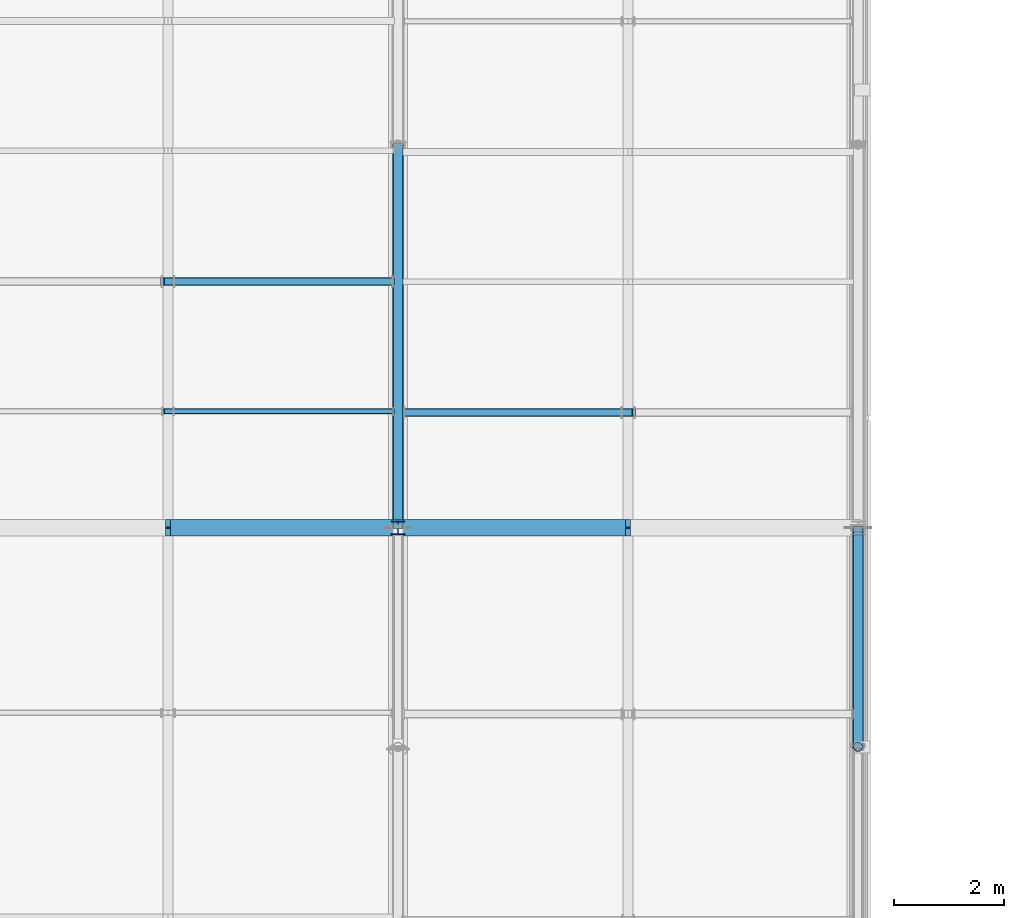
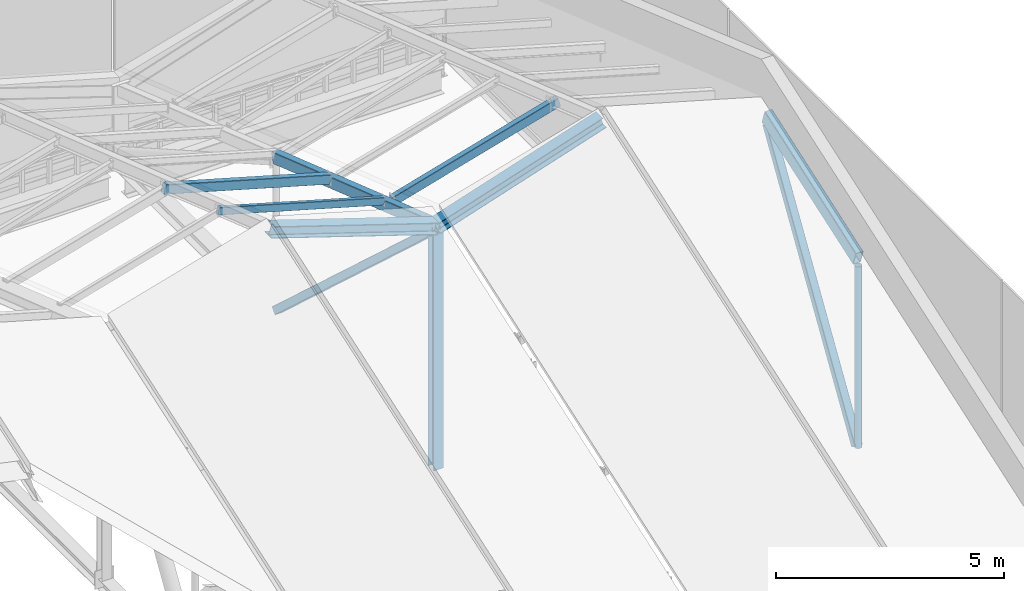
# One storey, part 33 of 77: 11 members.
"""IFC4 building model written with IfcOpenShell, lengths in metres."""

from ifc_helpers import new_model, si_unit, direction, frame, origin, origin_2d, place, context, subcontext, project, spatial, hollow_rectangle, hollow_circle, i_section, extrude, material, material_profile, profile_set, type_object, element, save


model = new_model("IFC4")

# Units and contexts
model_context = context("Model", 3, precision=1e-05, world=origin(), true_north=direction((0.0, 1.0)))
body_context = subcontext(model_context, "Body", "Model", "MODEL_VIEW")
ifc_project = project(units=[si_unit("LENGTHUNIT", "METRE"), si_unit("AREAUNIT", "SQUARE_METRE"), si_unit("VOLUMEUNIT", "CUBIC_METRE"), si_unit("PLANEANGLEUNIT", "RADIAN"), si_unit("MASSUNIT", "GRAM", prefix="KILO")], contexts=[model_context])

# Site, building, storey
site_placement = place(None, origin())
site = spatial("IfcSite", under=ifc_project, at=site_placement, CompositionType="ELEMENT")
building_placement = place(site_placement, origin())
building = spatial("IfcBuilding", under=site, at=building_placement, Name="Larkvane Passage Sports Hall", CompositionType="ELEMENT")
storey_placement = place(building_placement, frame((0.0, 0.0, 22.199951171875)))
storey = spatial("IfcBuildingStorey", under=building, at=storey_placement, Name="RF", CompositionType="ELEMENT", Elevation=22.199951171875)

# Members
ifc_material_1 = material(Name="Steel S355JR", Category="steel")
ifc_material_profile_1 = material_profile(ifc_material_1, hollow_rectangle(XDim=0.199951171875, YDim=0.199951171875, WallThickness=0.009033203125, InnerFilletRadius=0.009033203125, OuterFilletRadius=0.01806640625, at=origin_2d()), Name="SHS-200x200x9")
ifc_profile_set_1 = profile_set([ifc_material_profile_1], Name="Steel S355JR")
member_type_1 = type_object("IfcMemberType", Name="MBR-BR-SHS200", PredefinedType="BRACE", material=ifc_profile_set_1)
member_1_placement = place(storey_placement, frame((85.199951171875, 61.64990234375, 6.5400390625), z_axis=(0.0, 0.737163884076, -0.675713998682), x_axis=(-1.0, 0.0, 0.0)))
element("IfcMember", 1, at=member_1_placement, inside=storey, type_object=member_type_1, Name="Arena roof truss 7 web brace 5", PredefinedType="BRACE", context=body_context, shape_type="SweptSolid", body=[
    extrude(hollow_rectangle(XDim=0.199951171875, YDim=0.199951171875, WallThickness=0.009033203125, InnerFilletRadius=0.009033203125, OuterFilletRadius=0.01806640625, at=origin_2d()), origin(), (0.0, 0.0, 1.0), 9.3603515625),
])
member_2_placement = place(storey_placement, frame((93.60009765625, 57.64990234375, 0.239990234375), z_axis=(0.0, 0.529403043439, 0.848370448329), x_axis=(-1.0, 0.0, 0.0)))
element("IfcMember", 2, at=member_2_placement, inside=storey, type_object=member_type_1, Name="Arena roof truss 8 web brace 4", PredefinedType="BRACE", context=body_context, shape_type="SweptSolid", body=[
    extrude(hollow_rectangle(XDim=0.199951171875, YDim=0.199951171875, WallThickness=0.009033203125, InnerFilletRadius=0.009033203125, OuterFilletRadius=0.01806640625, at=origin_2d()), origin(), (0.0, 0.0, 1.0), 7.366943359375),
])
ifc_material_2 = material(Name="Steel S460N", Category="steel")
ifc_material_profile_2 = material_profile(ifc_material_2, i_section(OverallWidth=0.300048828125, OverallDepth=0.300048828125, WebThickness=0.010009765625, FlangeThickness=0.014892578125, FilletRadius=0.012939453125, at=origin_2d()), Name="H-300x300x10x15")
ifc_profile_set_2 = profile_set([ifc_material_profile_2], Name="Steel S460N")
member_type_2 = type_object("IfcMemberType", Name="MBR-CH-H300", PredefinedType="CHORD", material=ifc_profile_set_2)
for number, where, z_axis, x_axis, name in (
    (3, (81.0, 61.60009765625, 8.050048828125), (0.950691943721, 0.0, -0.310136789407), (0.0, 1.0, 0.0), "Arena roof fold tie 6-RIDGE-E"),
    (4, (85.199951171875, 61.60009765625, 6.679931640625), (0.950691943721, 0.0, 0.310136789407), (0.0, 1.0, 0.0), "Arena roof fold tie 7-RIDGE-W"),
):
    element("IfcMember", number, at=place(storey_placement, frame(where, z_axis=z_axis, x_axis=x_axis)), inside=storey, type_object=member_type_2, Name=name, PredefinedType="CHORD", context=body_context, shape_type="SweptSolid", body=[
        extrude(i_section(OverallWidth=0.300048828125, OverallDepth=0.300048828125, WebThickness=0.010009765625, FlangeThickness=0.014892578125, FilletRadius=0.012939453125, at=origin_2d()), origin(), (0.0, 0.0, 1.0), 4.417724609375),
    ])
ifc_material_profile_3 = material_profile(ifc_material_2, hollow_rectangle(XDim=0.199951171875, YDim=0.300048828125, WallThickness=0.011962890625, InnerFilletRadius=0.011962890625, OuterFilletRadius=0.02392578125, at=origin_2d()), Name="RHS-300x200x12")
ifc_profile_set_3 = profile_set([ifc_material_profile_3], Name="Steel S460N")
member_type_3 = type_object("IfcMemberType", Name="MBR-CH-RHS300", PredefinedType="CHORD", material=ifc_profile_set_3)
member_3_placement = place(storey_placement, frame((85.199951171875, 61.60009765625, 6.679931640625), z_axis=(0.0, 0.945949994576, -0.324312515579), x_axis=(-1.0, 0.0, 0.0)))
element("IfcMember", 5, at=member_3_placement, inside=storey, type_object=member_type_3, Name="Arena roof truss 7 top chord 5", PredefinedType="CHORD", context=body_context, shape_type="SweptSolid", body=[
    extrude(hollow_rectangle(XDim=0.199951171875, YDim=0.300048828125, WallThickness=0.011962890625, InnerFilletRadius=0.011962890625, OuterFilletRadius=0.02392578125, at=origin_2d()), origin(), (0.0, 0.0, 1.0), 7.39990234375),
])
ifc_material_profile_4 = material_profile(ifc_material_2, hollow_rectangle(XDim=0.199951171875, YDim=0.39990234375, WallThickness=0.013916015625, InnerFilletRadius=0.013916015625, OuterFilletRadius=0.028076171875, at=origin_2d()), Name="RHS-400x200x14")
ifc_profile_set_4 = profile_set([ifc_material_profile_4], Name="Steel S460N")
member_type_4 = type_object("IfcMemberType", Name="MBR-CH-RHS400", PredefinedType="CHORD", material=ifc_profile_set_4)
member_4_placement = place(storey_placement, frame((93.60009765625, 57.60009765625, 5.29833984375), z_axis=(0.0, 0.945206714131, 0.326472460649), x_axis=(-1.0, 0.0, 0.0)))
element("IfcMember", 6, at=member_4_placement, inside=storey, type_object=member_type_4, Name="Arena roof truss 8 top chord 4", PredefinedType="CHORD", context=body_context, shape_type="SweptSolid", body=[
    extrude(hollow_rectangle(XDim=0.199951171875, YDim=0.39990234375, WallThickness=0.013916015625, InnerFilletRadius=0.013916015625, OuterFilletRadius=0.028076171875, at=origin_2d()), origin(), (0.0, 0.0, 1.0), 4.23193359375),
])
ifc_material_profile_5 = material_profile(ifc_material_1, hollow_rectangle(XDim=0.10009765625, YDim=0.199951171875, WallThickness=0.008056640625, InnerFilletRadius=0.008056640625, OuterFilletRadius=0.01611328125, at=origin_2d()), Name="RHS-200x100x8")
ifc_profile_set_5 = profile_set([ifc_material_profile_5], Name="Steel S355JR")
member_type_5 = type_object("IfcMemberType", Name="MBR-PR-RHS200", PredefinedType="PURLIN", material=ifc_profile_set_5)
member_5_placement = place(storey_placement, frame((80.90478515625, 63.725830078125, 7.298828125), z_axis=(0.961511291812, 0.0, -0.274765419436), x_axis=(0.0, 1.0, 0.0)))
element("IfcMember", 7, at=member_5_placement, inside=storey, type_object=member_type_5, Name="Folded roof purlin FRP-B6-NE-1", PredefinedType="PURLIN", context=body_context, shape_type="SweptSolid", body=[
    extrude(hollow_rectangle(XDim=0.10009765625, YDim=0.199951171875, WallThickness=0.008056640625, InnerFilletRadius=0.008056640625, OuterFilletRadius=0.01611328125, at=origin_2d()), origin(), (0.0, 0.0, 1.0), 4.3681640625),
])
ifc_material_profile_6 = material_profile(ifc_material_1, hollow_rectangle(XDim=0.14990234375, YDim=0.25, WallThickness=0.009033203125, InnerFilletRadius=0.009033203125, OuterFilletRadius=0.01806640625, at=origin_2d()), Name="RHS-250x150x9")
ifc_profile_set_6 = profile_set([ifc_material_profile_6], Name="Steel S355JR")
member_type_6 = type_object("IfcMemberType", Name="MBR-PR-RHS250", PredefinedType="PURLIN", material=ifc_profile_set_6)
member_6_placement = place(storey_placement, frame((80.898193359375, 66.097900390625, 6.4599609375), z_axis=(0.96152605678, 0.0, -0.274713745804), x_axis=(0.0, 1.0, 0.0)))
element("IfcMember", 8, at=member_6_placement, inside=storey, type_object=member_type_6, Name="Folded roof purlin FRP-B6-NE-2", PredefinedType="PURLIN", context=body_context, shape_type="SweptSolid", body=[
    extrude(hollow_rectangle(XDim=0.14990234375, YDim=0.25, WallThickness=0.009033203125, InnerFilletRadius=0.009033203125, OuterFilletRadius=0.01806640625, at=origin_2d()), origin(), (0.0, 0.0, 1.0), 4.367919921875),
])
member_7_placement = place(storey_placement, frame((85.312255859375, 63.705322265625, 6.039306640625), z_axis=(0.961511291812, 0.0, 0.274765419436), x_axis=(0.0, 1.0, 0.0)))
element("IfcMember", 9, at=member_7_placement, inside=storey, type_object=member_type_6, Name="Folded roof purlin FRP-B7-NW-1", PredefinedType="PURLIN", context=body_context, shape_type="SweptSolid", body=[
    extrude(hollow_rectangle(XDim=0.14990234375, YDim=0.25, WallThickness=0.009033203125, InnerFilletRadius=0.009033203125, OuterFilletRadius=0.01806640625, at=origin_2d()), origin(), (0.0, 0.0, 1.0), 4.3681640625),
])
ifc_material_profile_7 = material_profile(ifc_material_1, hollow_circle(Radius=0.08251953125, WallThickness=0.006103515625, at=origin_2d()), Name="CHS-165.2x6.0")
ifc_profile_set_7 = profile_set([ifc_material_profile_7], Name="Steel S355JR")
member_type_7 = type_object("IfcMemberType", Name="MBR-ST-CHS165", PredefinedType="STRUT", material=ifc_profile_set_7)
member_8_placement = place(storey_placement, frame((93.60009765625, 57.60009765625, 0.239990234375), z_axis=(0.0, 0.0, 1.0), x_axis=(1.0, 0.0, 0.0)))
element("IfcMember", 10, at=member_8_placement, inside=storey, type_object=member_type_7, Name="Arena roof truss 8 vertical strut 3", PredefinedType="STRUT", context=body_context, shape_type="SweptSolid", body=[
    extrude(hollow_circle(Radius=0.08251953125, WallThickness=0.006103515625, at=origin_2d()), origin(), (0.0, 0.0, 1.0), 4.8681640625),
])
ifc_material_profile_8 = material_profile(ifc_material_1, i_section(OverallWidth=0.25, OverallDepth=0.25, WebThickness=0.009033203125, FlangeThickness=0.013916015625, FilletRadius=0.012939453125, at=origin_2d()), Name="H-250x250x9x14")
ifc_profile_set_8 = profile_set([ifc_material_profile_8], Name="Steel S355JR")
member_type_8 = type_object("IfcMemberType", Name="MBR-ST-H250", PredefinedType="STRUT", material=ifc_profile_set_8)
member_9_placement = place(storey_placement, frame((85.199951171875, 61.60009765625, 0.215087890625), z_axis=(0.0, 0.0, 1.0), x_axis=(1.0, 0.0, 0.0)))
element("IfcMember", 11, at=member_9_placement, inside=storey, type_object=member_type_8, Name="Arena roof truss 7 vertical strut 4", PredefinedType="STRUT", context=body_context, shape_type="SweptSolid", body=[
    extrude(i_section(OverallWidth=0.25, OverallDepth=0.25, WebThickness=0.009033203125, FlangeThickness=0.013916015625, FilletRadius=0.012939453125, at=origin_2d()), origin(), (0.0, 0.0, 1.0), 6.324951171875),
])

save(model, "model.ifc")
